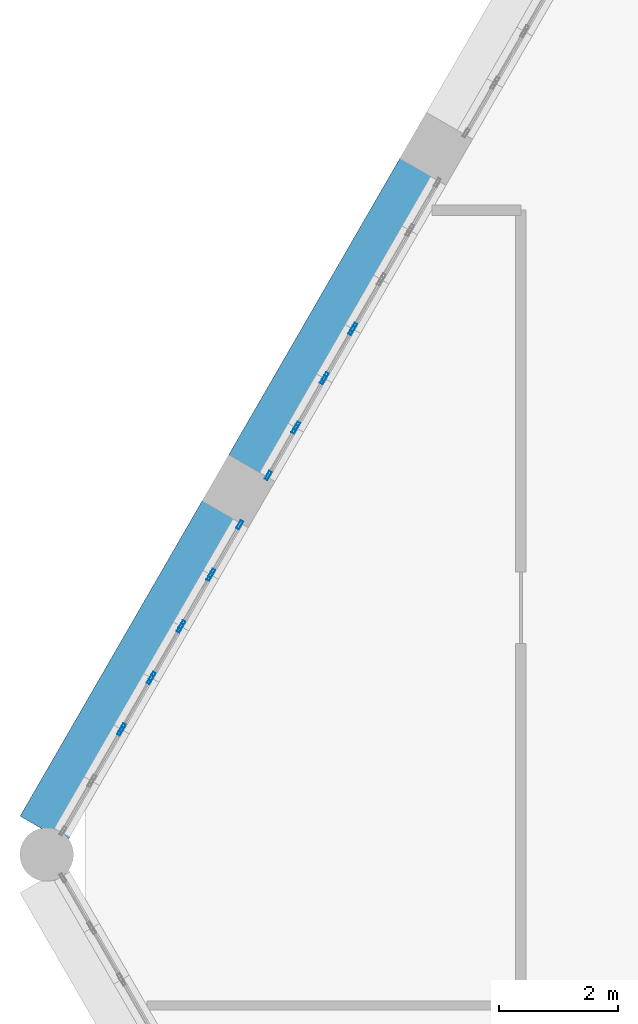
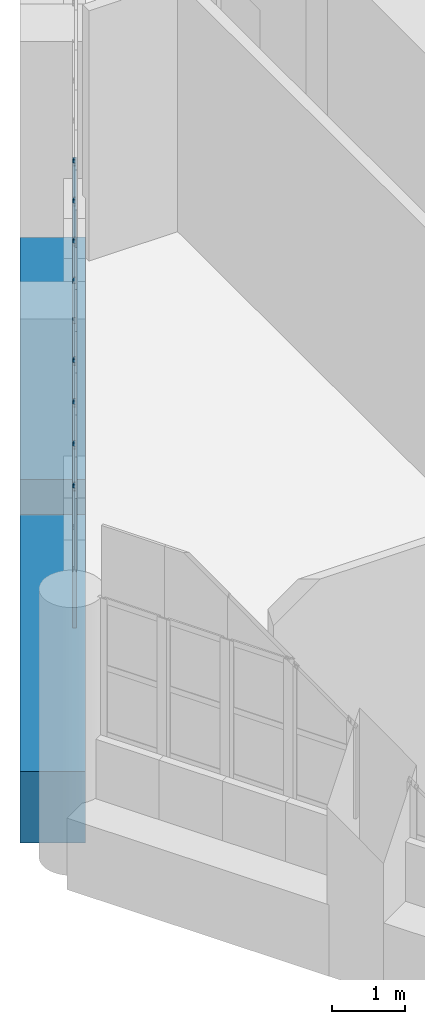
# One storey, part 7 of 25: 16 members, 2 beams, 9 elements without a shape of their own.
"""IFC4 building model written with IfcOpenShell, lengths in metres."""

from ifc_helpers import new_model, si_unit, direction, frame, origin, origin_2d, place, context, subcontext, project, spatial, rectangle, hollow_rectangle, extrude, material, material_profile, profile_set, type_object, element, aggregate, save


model = new_model("IFC4")

# Units and contexts
model_context = context("Model", 3, precision=1e-05, world=origin(), true_north=direction((0.0, 1.0)))
body_context = subcontext(model_context, "Body", "Model", "MODEL_VIEW")
ifc_project = project(units=[si_unit("LENGTHUNIT", "METRE"), si_unit("AREAUNIT", "SQUARE_METRE"), si_unit("VOLUMEUNIT", "CUBIC_METRE"), si_unit("PLANEANGLEUNIT", "RADIAN"), si_unit("MASSUNIT", "GRAM", prefix="KILO")], contexts=[model_context])

# Site, building, storey
site_placement = place(None, origin())
site = spatial("IfcSite", under=ifc_project, at=site_placement, CompositionType="ELEMENT")
building_placement = place(site_placement, origin())
building = spatial("IfcBuilding", under=site, at=building_placement, Name="Ostrander Bayou Hotel Tower", CompositionType="ELEMENT")
storey_placement = place(building_placement, frame((0.0, 0.0, 275.0)))
storey = spatial("IfcBuildingStorey", under=building, at=storey_placement, Name="L68", CompositionType="ELEMENT", Elevation=275.0)

# Curtain wall, member
ifc_material_1 = material(Name="Aluminium and clear glass", Category="aluminium")
curtain_wall_type = type_object("IfcCurtainWallType", Name="CW-CROWN glazed wall", PredefinedType="NOTDEFINED", material=ifc_material_1)
curtain_wall_1_placement = place(storey_placement, origin())
curtain_wall_1 = element("IfcCurtainWall", 1, at=curtain_wall_1_placement, inside=storey, type_object=curtain_wall_type, Name="CW-CROWN L68:NW-2-3", PredefinedType="NOTDEFINED")
ifc_material_2 = material(Name="Aluminium", Category="aluminium")
ifc_material_profile_1 = material_profile(ifc_material_2, hollow_rectangle(XDim=0.050048828125, YDim=0.14990234375, WallThickness=0.00390625, at=origin_2d()))
ifc_profile_set_1 = profile_set([ifc_material_profile_1], Name="Aluminium")
member_type = type_object("IfcMemberType", Name="CW-CR mullion 50 x 150 mm", PredefinedType="MULLION", material=ifc_profile_set_1)
member_1_placement = place(storey_placement, frame((-13.316162109375, 7.722900390625, 1.0), z_axis=(0.0, 0.0, 1.0), x_axis=(0.866022491007, -0.500005045044, 0.0)))
member_1 = element("IfcMember", 2, at=member_1_placement, type_object=member_type, Name="CW-CROWN mullion 2", PredefinedType="MULLION", context=body_context, shape_type="SweptSolid", body=[
    extrude(hollow_rectangle(XDim=0.050048828125, YDim=0.14990234375, WallThickness=0.00390625, at=origin_2d()), origin(), (0.0, 0.0, 1.0), 2.300048828125),
])
aggregate(curtain_wall_1, [member_1])

# Curtain wall, members
curtain_wall_2_placement = place(storey_placement, origin())
curtain_wall_2 = element("IfcCurtainWall", 3, at=curtain_wall_2_placement, inside=storey, type_object=curtain_wall_type, Name="CW-CROWN L68:NW-2-4", PredefinedType="NOTDEFINED")
member_2_placement = place(storey_placement, frame((-13.34619140625, 7.6708984375, 1.0), z_axis=(0.0, 0.0, 1.0), x_axis=(0.866048535364, -0.499959932788, 0.0)))
member_2 = element("IfcMember", 4, at=member_2_placement, type_object=member_type, Name="CW-CROWN mullion 1", PredefinedType="MULLION", context=body_context, shape_type="SweptSolid", body=[
    extrude(hollow_rectangle(XDim=0.050048828125, YDim=0.14990234375, WallThickness=0.00390625, at=origin_2d()), origin(), (0.0, 0.0, 1.0), 2.300048828125),
])
member_3_placement = place(storey_placement, frame((-13.796142578125, 6.8916015625, 1.0), z_axis=(0.0, 0.0, 1.0), x_axis=(0.866048535364, -0.499959932788, 0.0)))
member_3 = element("IfcMember", 5, at=member_3_placement, type_object=member_type, Name="CW-CROWN mullion 2", PredefinedType="MULLION", context=body_context, shape_type="SweptSolid", body=[
    extrude(hollow_rectangle(XDim=0.050048828125, YDim=0.14990234375, WallThickness=0.00390625, at=origin_2d()), origin(), (0.0, 0.0, 1.0), 2.300048828125),
])
aggregate(curtain_wall_2, [member_2, member_3])

curtain_wall_3_placement = place(storey_placement, origin())
curtain_wall_3 = element("IfcCurtainWall", 6, at=curtain_wall_3_placement, inside=storey, type_object=curtain_wall_type, Name="CW-CROWN L68:NW-2-5", PredefinedType="NOTDEFINED")
member_4_placement = place(storey_placement, frame((-13.826171875, 6.839599609375, 1.0), z_axis=(0.0, 0.0, 1.0), x_axis=(0.866022491007, -0.500005045044, 0.0)))
member_4 = element("IfcMember", 7, at=member_4_placement, type_object=member_type, Name="CW-CROWN mullion 1", PredefinedType="MULLION", context=body_context, shape_type="SweptSolid", body=[
    extrude(hollow_rectangle(XDim=0.050048828125, YDim=0.14990234375, WallThickness=0.00390625, at=origin_2d()), origin(), (0.0, 0.0, 1.0), 2.300048828125),
])
member_5_placement = place(storey_placement, frame((-14.27587890625, 6.060302734375, 1.0), z_axis=(0.0, 0.0, 1.0), x_axis=(0.866022491007, -0.500005045044, 0.0)))
member_5 = element("IfcMember", 8, at=member_5_placement, type_object=member_type, Name="CW-CROWN mullion 2", PredefinedType="MULLION", context=body_context, shape_type="SweptSolid", body=[
    extrude(hollow_rectangle(XDim=0.050048828125, YDim=0.14990234375, WallThickness=0.00390625, at=origin_2d()), origin(), (0.0, 0.0, 1.0), 2.300048828125),
])
aggregate(curtain_wall_3, [member_4, member_5])

curtain_wall_4_placement = place(storey_placement, origin())
curtain_wall_4 = element("IfcCurtainWall", 9, at=curtain_wall_4_placement, inside=storey, type_object=curtain_wall_type, Name="CW-CROWN L68:NW-2-6", PredefinedType="NOTDEFINED")
member_6_placement = place(storey_placement, frame((-14.305908203125, 6.00830078125, 1.0), z_axis=(0.0, 0.0, 1.0), x_axis=(0.866022491007, -0.500005045044, 0.0)))
member_6 = element("IfcMember", 10, at=member_6_placement, type_object=member_type, Name="CW-CROWN mullion 1", PredefinedType="MULLION", context=body_context, shape_type="SweptSolid", body=[
    extrude(hollow_rectangle(XDim=0.050048828125, YDim=0.14990234375, WallThickness=0.00390625, at=origin_2d()), origin(), (0.0, 0.0, 1.0), 2.300048828125),
])
member_7_placement = place(storey_placement, frame((-14.755859375, 5.22900390625, 1.0), z_axis=(0.0, 0.0, 1.0), x_axis=(0.866022491007, -0.500005045044, 0.0)))
member_7 = element("IfcMember", 11, at=member_7_placement, type_object=member_type, Name="CW-CROWN mullion 2", PredefinedType="MULLION", context=body_context, shape_type="SweptSolid", body=[
    extrude(hollow_rectangle(XDim=0.050048828125, YDim=0.14990234375, WallThickness=0.00390625, at=origin_2d()), origin(), (0.0, 0.0, 1.0), 2.300048828125),
])
aggregate(curtain_wall_4, [member_6, member_7])

curtain_wall_5_placement = place(storey_placement, origin())
curtain_wall_5 = element("IfcCurtainWall", 12, at=curtain_wall_5_placement, inside=storey, type_object=curtain_wall_type, Name="CW-CROWN L68:NW-3-1", PredefinedType="NOTDEFINED")
member_8_placement = place(storey_placement, frame((-15.23583984375, 4.397705078125, 1.0), z_axis=(0.0, 0.0, 1.0), x_axis=(0.866044474681, -0.499966966783, 0.0)))
member_8 = element("IfcMember", 13, at=member_8_placement, type_object=member_type, Name="CW-CROWN mullion 1", PredefinedType="MULLION", context=body_context, shape_type="SweptSolid", body=[
    extrude(hollow_rectangle(XDim=0.050048828125, YDim=0.14990234375, WallThickness=0.00390625, at=origin_2d()), origin(), (0.0, 0.0, 1.0), 2.300048828125),
])
member_9_placement = place(storey_placement, frame((-15.70751953125, 3.5810546875, 1.0), z_axis=(0.0, 0.0, 1.0), x_axis=(0.866044474681, -0.499966966783, 0.0)))
member_9 = element("IfcMember", 14, at=member_9_placement, type_object=member_type, Name="CW-CROWN mullion 2", PredefinedType="MULLION", context=body_context, shape_type="SweptSolid", body=[
    extrude(hollow_rectangle(XDim=0.050048828125, YDim=0.14990234375, WallThickness=0.00390625, at=origin_2d()), origin(), (0.0, 0.0, 1.0), 2.300048828125),
])
aggregate(curtain_wall_5, [member_8, member_9])

curtain_wall_6_placement = place(storey_placement, origin())
curtain_wall_6 = element("IfcCurtainWall", 15, at=curtain_wall_6_placement, inside=storey, type_object=curtain_wall_type, Name="CW-CROWN L68:NW-3-2", PredefinedType="NOTDEFINED")
member_10_placement = place(storey_placement, frame((-15.7373046875, 3.529052734375, 1.0), z_axis=(0.0, 0.0, 1.0), x_axis=(0.866001306597, -0.50004173523, 0.0)))
member_10 = element("IfcMember", 16, at=member_10_placement, type_object=member_type, Name="CW-CROWN mullion 1", PredefinedType="MULLION", context=body_context, shape_type="SweptSolid", body=[
    extrude(hollow_rectangle(XDim=0.050048828125, YDim=0.14990234375, WallThickness=0.00390625, at=origin_2d()), origin(), (0.0, 0.0, 1.0), 2.300048828125),
])
member_11_placement = place(storey_placement, frame((-16.208984375, 2.712158203125, 1.0), z_axis=(0.0, 0.0, 1.0), x_axis=(0.866001306597, -0.50004173523, 0.0)))
member_11 = element("IfcMember", 17, at=member_11_placement, type_object=member_type, Name="CW-CROWN mullion 2", PredefinedType="MULLION", context=body_context, shape_type="SweptSolid", body=[
    extrude(hollow_rectangle(XDim=0.050048828125, YDim=0.14990234375, WallThickness=0.00390625, at=origin_2d()), origin(), (0.0, 0.0, 1.0), 2.300048828125),
])
aggregate(curtain_wall_6, [member_10, member_11])

curtain_wall_7_placement = place(storey_placement, origin())
curtain_wall_7 = element("IfcCurtainWall", 18, at=curtain_wall_7_placement, inside=storey, type_object=curtain_wall_type, Name="CW-CROWN L68:NW-3-3", PredefinedType="NOTDEFINED")
member_12_placement = place(storey_placement, frame((-16.239013671875, 2.660400390625, 1.0), z_axis=(0.0, 0.0, 1.0), x_axis=(0.866019551165, -0.500010136897, 0.0)))
member_12 = element("IfcMember", 19, at=member_12_placement, type_object=member_type, Name="CW-CROWN mullion 1", PredefinedType="MULLION", context=body_context, shape_type="SweptSolid", body=[
    extrude(hollow_rectangle(XDim=0.050048828125, YDim=0.14990234375, WallThickness=0.00390625, at=origin_2d()), origin(), (0.0, 0.0, 1.0), 2.300048828125),
])
member_13_placement = place(storey_placement, frame((-16.71044921875, 1.84375, 1.0), z_axis=(0.0, 0.0, 1.0), x_axis=(0.866019551165, -0.500010136897, 0.0)))
member_13 = element("IfcMember", 20, at=member_13_placement, type_object=member_type, Name="CW-CROWN mullion 2", PredefinedType="MULLION", context=body_context, shape_type="SweptSolid", body=[
    extrude(hollow_rectangle(XDim=0.050048828125, YDim=0.14990234375, WallThickness=0.00390625, at=origin_2d()), origin(), (0.0, 0.0, 1.0), 2.300048828125),
])
aggregate(curtain_wall_7, [member_12, member_13])

curtain_wall_8_placement = place(storey_placement, origin())
curtain_wall_8 = element("IfcCurtainWall", 21, at=curtain_wall_8_placement, inside=storey, type_object=curtain_wall_type, Name="CW-CROWN L68:NW-3-4", PredefinedType="NOTDEFINED")
member_14_placement = place(storey_placement, frame((-16.740478515625, 1.791748046875, 1.0), z_axis=(0.0, 0.0, 1.0), x_axis=(0.866044474681, -0.499966966783, 0.0)))
member_14 = element("IfcMember", 22, at=member_14_placement, type_object=member_type, Name="CW-CROWN mullion 1", PredefinedType="MULLION", context=body_context, shape_type="SweptSolid", body=[
    extrude(hollow_rectangle(XDim=0.050048828125, YDim=0.14990234375, WallThickness=0.00390625, at=origin_2d()), origin(), (0.0, 0.0, 1.0), 2.300048828125),
])
member_15_placement = place(storey_placement, frame((-17.2119140625, 0.97509765625, 1.0), z_axis=(0.0, 0.0, 1.0), x_axis=(0.866044474681, -0.499966966783, 0.0)))
member_15 = element("IfcMember", 23, at=member_15_placement, type_object=member_type, Name="CW-CROWN mullion 2", PredefinedType="MULLION", context=body_context, shape_type="SweptSolid", body=[
    extrude(hollow_rectangle(XDim=0.050048828125, YDim=0.14990234375, WallThickness=0.00390625, at=origin_2d()), origin(), (0.0, 0.0, 1.0), 2.300048828125),
])
aggregate(curtain_wall_8, [member_14, member_15])

# Curtain wall, member
curtain_wall_9_placement = place(storey_placement, origin())
curtain_wall_9 = element("IfcCurtainWall", 24, at=curtain_wall_9_placement, inside=storey, type_object=curtain_wall_type, Name="CW-CROWN L68:NW-3-5", PredefinedType="NOTDEFINED")
member_16_placement = place(storey_placement, frame((-17.241943359375, 0.923095703125, 1.0), z_axis=(0.0, 0.0, 1.0), x_axis=(0.866044474681, -0.499966966783, 0.0)))
member_16 = element("IfcMember", 25, at=member_16_placement, type_object=member_type, Name="CW-CROWN mullion 1", PredefinedType="MULLION", context=body_context, shape_type="SweptSolid", body=[
    extrude(hollow_rectangle(XDim=0.050048828125, YDim=0.14990234375, WallThickness=0.00390625, at=origin_2d()), origin(), (0.0, 0.0, 1.0), 2.300048828125),
])
aggregate(curtain_wall_9, [member_16])

# Beams
ifc_material_3 = material(Name="Concrete f'c 60 MPa", Category="concrete")
ifc_material_profile_2 = material_profile(ifc_material_3, rectangle(XDim=0.89990234375, YDim=1.199951171875, at=origin_2d()))
ifc_profile_set_2 = profile_set([ifc_material_profile_2], Name="Concrete f'c 60 MPa")
beam_type = type_object("IfcBeamType", Name="SP4 spandrel beam 900 x 1200 mm f'c 60 MPa", PredefinedType="SPANDREL", material=ifc_profile_set_2)
beam_1_placement = place(storey_placement, frame((-12.13623046875, 10.366455078125, -0.60009765625), z_axis=(-0.499997265274, -0.866026982673, 0.0), x_axis=(0.866026982673, -0.499997265274, 0.0)))
element("IfcBeam", 26, at=beam_1_placement, inside=storey, type_object=beam_type, Name="SP4 L68 NW-2", PredefinedType="SPANDREL", context=body_context, shape_type="SweptSolid", body=[
    extrude(rectangle(XDim=0.89990234375, YDim=1.199951171875, at=origin_2d()), origin(), (0.0, 0.0, 1.0), 5.81884765625),
])
beam_2_placement = place(storey_placement, frame((-15.4658203125, 4.599609375, -0.60009765625), z_axis=(-0.499984362083, -0.866034432152, 0.0), x_axis=(0.866034432152, -0.499984362083, 0.0)))
element("IfcBeam", 27, at=beam_2_placement, inside=storey, type_object=beam_type, Name="SP4 L68 NW-3", PredefinedType="SPANDREL", context=body_context, shape_type="SweptSolid", body=[
    extrude(rectangle(XDim=0.89990234375, YDim=1.199951171875, at=origin_2d()), origin(), (0.0, 0.0, 1.0), 6.159423828125),
])

save(model, "model.ifc")
